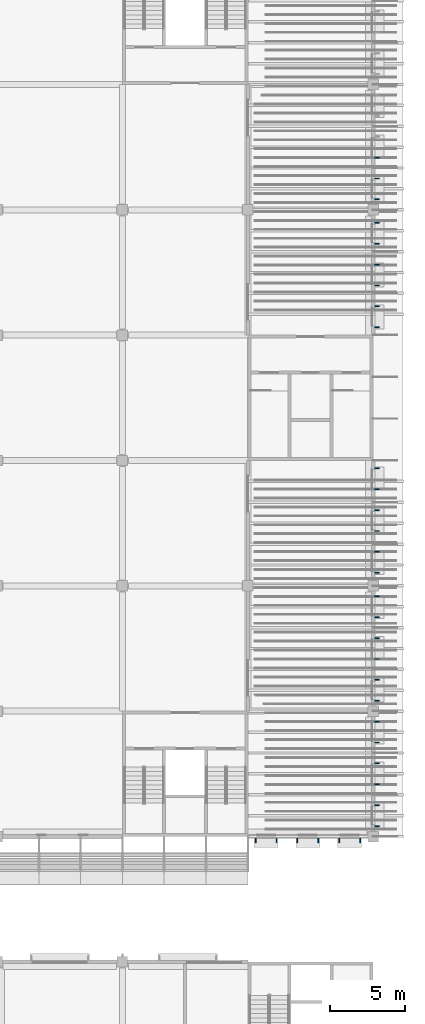
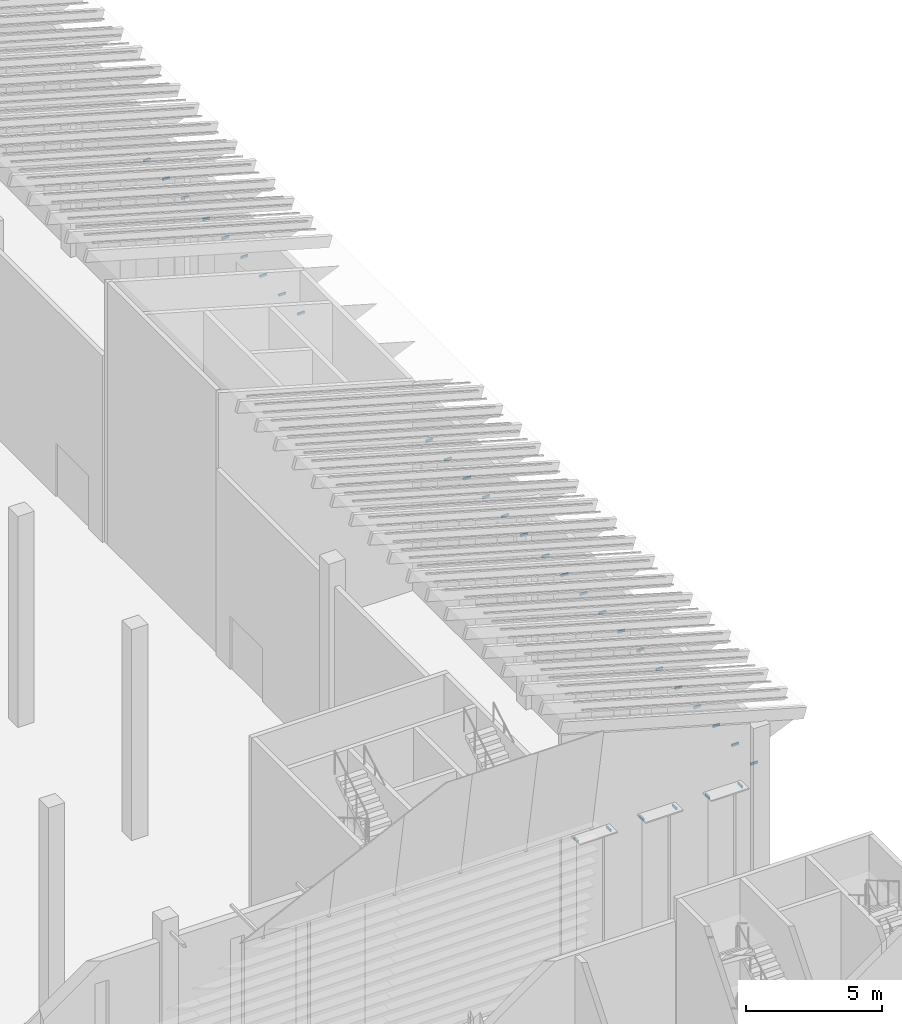
# One storey, part 69 of 114: 33 discrete accessories.
"""IFC4 building model written with IfcOpenShell, lengths in metres."""

from ifc_helpers import new_model, si_unit, direction, frame, origin, origin_2d, place, context, subcontext, project, spatial, rectangle, extrude, material, type_object, element, save


model = new_model("IFC4")

# Units and contexts
model_context = context("Model", 3, precision=1e-05, world=origin(), true_north=direction((0.0, 1.0)))
body_context = subcontext(model_context, "Body", "Model", "MODEL_VIEW")
ifc_project = project(units=[si_unit("LENGTHUNIT", "METRE"), si_unit("AREAUNIT", "SQUARE_METRE"), si_unit("VOLUMEUNIT", "CUBIC_METRE"), si_unit("PLANEANGLEUNIT", "RADIAN"), si_unit("MASSUNIT", "GRAM", prefix="KILO")], contexts=[model_context])

# Site, building, storey
site_placement = place(None, origin())
site = spatial("IfcSite", under=ifc_project, at=site_placement, CompositionType="ELEMENT")
building_placement = place(site_placement, origin())
building = spatial("IfcBuilding", under=site, at=building_placement, Name="Almond Square Museum", CompositionType="ELEMENT")
storey_placement = place(building_placement, frame((0.0, 0.0, 10.5)))
storey = spatial("IfcBuildingStorey", under=building, at=storey_placement, Name="L02", CompositionType="ELEMENT", Elevation=10.5)

# Discrete accessories
ifc_material = material(Name="Stainless steel", Category="steel")
discrete_accessory_type = type_object("IfcDiscreteAccessoryType", Name="Sun-shade blade bracket", PredefinedType="BRACKET", material=ifc_material)
for number, where, z_axis, x_axis, name in (
    (1, (149.324951171875, 50.126953125, 6.89697265625), (0.0, 0.0, 1.0), (1.0, 0.0, 0.0), "Bracket sun-shade blade"),
    (2, (150.72509765625, 50.126953125, 6.89697265625), (0.0, 0.0, 1.0), (1.0, 0.0, 0.0), "Bracket sun-shade blade"),
    (3, (152.125, 50.126953125, 6.89697265625), (0.0, 0.0, 1.0), (1.0, 0.0, 0.0), "Bracket sun-shade blade"),
    (4, (153.52490234375, 50.126953125, 6.89697265625), (0.0, 0.0, 1.0), (1.0, 0.0, 0.0), "Bracket sun-shade blade"),
    (5, (154.925048828125, 50.126953125, 6.89697265625), (0.0, 0.0, 1.0), (1.0, 0.0, 0.0), "Bracket sun-shade blade"),
    (6, (156.324951171875, 50.126953125, 6.89697265625), (0.0, 0.0, 1.0), (1.0, 0.0, 0.0), "Bracket sun-shade blade"),
):
    element("IfcDiscreteAccessory", number, at=place(storey_placement, frame(where, z_axis=z_axis, x_axis=x_axis)), inside=storey, type_object=discrete_accessory_type, Name=name, PredefinedType="BRACKET", context=body_context, shape_type="SweptSolid", body=[
        extrude(rectangle(XDim=0.06005859375, YDim=0.300048828125, at=origin_2d()), origin(), (0.0, 0.0, 1.0), 0.10009765625),
    ])
for number, where, z_axis, x_axis, name in (
    (7, (157.472900390625, 51.10009765625, 6.89697265625), (0.0, 0.0, 1.0), (1.0, 0.0, 0.0), "Bracket sun-shade blade"),
    (8, (157.472900390625, 52.5, 6.89697265625), (0.0, 0.0, 1.0), (1.0, 0.0, 0.0), "Bracket sun-shade blade"),
    (9, (157.472900390625, 53.89990234375, 6.89697265625), (0.0, 0.0, 1.0), (1.0, 0.0, 0.0), "Bracket sun-shade blade"),
    (10, (157.472900390625, 55.300048828125, 6.89697265625), (0.0, 0.0, 1.0), (1.0, 0.0, 0.0), "Bracket sun-shade blade"),
    (11, (157.472900390625, 56.699951171875, 6.89697265625), (0.0, 0.0, 1.0), (1.0, 0.0, 0.0), "Bracket sun-shade blade"),
    (12, (157.472900390625, 58.10009765625, 6.89697265625), (0.0, 0.0, 1.0), (1.0, 0.0, 0.0), "Bracket sun-shade blade"),
    (13, (157.472900390625, 59.5, 6.89697265625), (0.0, 0.0, 1.0), (1.0, 0.0, 0.0), "Bracket sun-shade blade"),
    (14, (157.472900390625, 60.89990234375, 6.89697265625), (0.0, 0.0, 1.0), (1.0, 0.0, 0.0), "Bracket sun-shade blade"),
    (15, (157.472900390625, 62.300048828125, 6.89697265625), (0.0, 0.0, 1.0), (1.0, 0.0, 0.0), "Bracket sun-shade blade"),
    (16, (157.472900390625, 63.699951171875, 6.89697265625), (0.0, 0.0, 1.0), (1.0, 0.0, 0.0), "Bracket sun-shade blade"),
    (17, (157.472900390625, 65.10009765625, 6.89697265625), (0.0, 0.0, 1.0), (1.0, 0.0, 0.0), "Bracket sun-shade blade"),
    (18, (157.472900390625, 66.5, 6.89697265625), (0.0, 0.0, 1.0), (1.0, 0.0, 0.0), "Bracket sun-shade blade"),
    (19, (157.472900390625, 68.074951171875, 6.89697265625), (0.0, 0.0, 1.0), (1.0, 0.0, 0.0), "Bracket sun-shade blade"),
    (20, (157.472900390625, 69.47509765625, 6.89697265625), (0.0, 0.0, 1.0), (1.0, 0.0, 0.0), "Bracket sun-shade blade"),
    (21, (157.472900390625, 70.875, 6.89697265625), (0.0, 0.0, 1.0), (1.0, 0.0, 0.0), "Bracket sun-shade blade"),
    (22, (157.472900390625, 72.27490234375, 6.89697265625), (0.0, 0.0, 1.0), (1.0, 0.0, 0.0), "Bracket sun-shade blade"),
    (23, (157.472900390625, 73.675048828125, 6.89697265625), (0.0, 0.0, 1.0), (1.0, 0.0, 0.0), "Bracket sun-shade blade"),
    (24, (157.472900390625, 75.074951171875, 6.89697265625), (0.0, 0.0, 1.0), (1.0, 0.0, 0.0), "Bracket sun-shade blade"),
    (25, (157.472900390625, 84.52490234375, 6.89697265625), (0.0, 0.0, 1.0), (1.0, 0.0, 0.0), "Bracket sun-shade blade"),
    (26, (157.472900390625, 85.925048828125, 6.89697265625), (0.0, 0.0, 1.0), (1.0, 0.0, 0.0), "Bracket sun-shade blade"),
    (27, (157.472900390625, 87.324951171875, 6.89697265625), (0.0, 0.0, 1.0), (1.0, 0.0, 0.0), "Bracket sun-shade blade"),
    (28, (157.472900390625, 88.72509765625, 6.89697265625), (0.0, 0.0, 1.0), (1.0, 0.0, 0.0), "Bracket sun-shade blade"),
    (29, (157.472900390625, 90.125, 6.89697265625), (0.0, 0.0, 1.0), (1.0, 0.0, 0.0), "Bracket sun-shade blade"),
    (30, (157.472900390625, 91.52490234375, 6.89697265625), (0.0, 0.0, 1.0), (1.0, 0.0, 0.0), "Bracket sun-shade blade"),
    (31, (157.472900390625, 93.10009765625, 6.89697265625), (0.0, 0.0, 1.0), (1.0, 0.0, 0.0), "Bracket sun-shade blade"),
    (32, (157.472900390625, 94.5, 6.89697265625), (0.0, 0.0, 1.0), (1.0, 0.0, 0.0), "Bracket sun-shade blade"),
    (33, (157.472900390625, 95.89990234375, 6.89697265625), (0.0, 0.0, 1.0), (1.0, 0.0, 0.0), "Bracket sun-shade blade"),
):
    element("IfcDiscreteAccessory", number, at=place(storey_placement, frame(where, z_axis=z_axis, x_axis=x_axis)), inside=storey, type_object=discrete_accessory_type, Name=name, PredefinedType="BRACKET", context=body_context, shape_type="SweptSolid", body=[
        extrude(rectangle(XDim=0.300048828125, YDim=0.06005859375, at=origin_2d()), origin(), (0.0, 0.0, 1.0), 0.10009765625),
    ])

save(model, "model.ifc")
